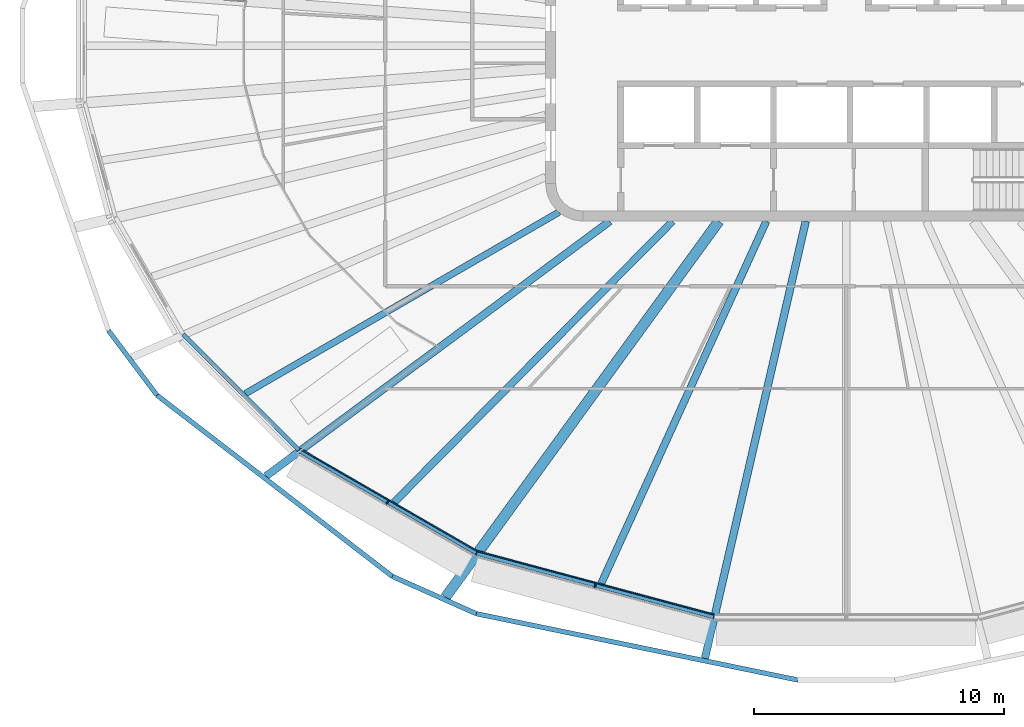
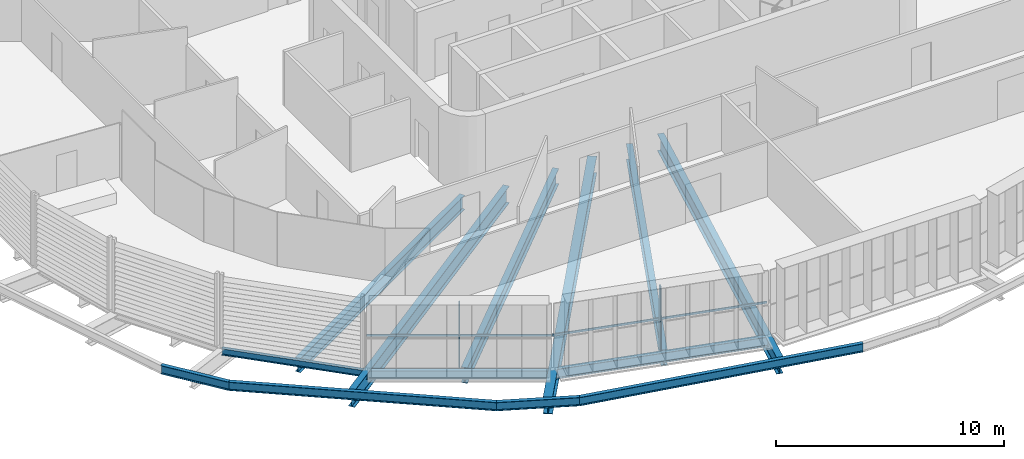
# One storey, part 1 of 20: 13 beams, 4 members, 2 elements without a shape of their own.
"""IFC4 building model written with IfcOpenShell, lengths in metres."""

from ifc_helpers import new_model, si_unit, direction, frame, origin, origin_2d, place, context, subcontext, project, spatial, rectangle, i_section, extrude, material, layer, layer_set, material_profile, profile_set, type_object, element, aggregate, save


model = new_model("IFC4")

# Units and contexts
model_context = context("Model", 3, precision=1e-05, world=origin(), true_north=direction((0.0, 1.0)))
body_context = subcontext(model_context, "Body", "Model", "MODEL_VIEW")
ifc_project = project(units=[si_unit("LENGTHUNIT", "METRE"), si_unit("AREAUNIT", "SQUARE_METRE"), si_unit("VOLUMEUNIT", "CUBIC_METRE"), si_unit("PLANEANGLEUNIT", "RADIAN"), si_unit("MASSUNIT", "GRAM", prefix="KILO")], contexts=[model_context])

# Site, building, storey
site_placement = place(None, origin())
site = spatial("IfcSite", under=ifc_project, at=site_placement, CompositionType="ELEMENT")
building_placement = place(site_placement, origin())
building = spatial("IfcBuilding", under=site, at=building_placement, Name="Sahrelin Media Tower", CompositionType="ELEMENT")
storey_placement = place(building_placement, frame((0.0, 0.0, 221.60009765625)))
storey = spatial("IfcBuildingStorey", under=building, at=storey_placement, Name="L47", CompositionType="ELEMENT", Elevation=221.60009765625)

# Beams
ifc_material_1 = material(Name="Steel S355", Category="steel")
ifc_material_profile_1 = material_profile(ifc_material_1, i_section(OverallWidth=0.17138671875, OverallDepth=0.35498046875, WebThickness=0.00732421875, FlangeThickness=0.011474609375, FilletRadius=0.01025390625, at=origin_2d()), Name="UB 356x171x51")
ifc_profile_set_1 = profile_set([ifc_material_profile_1], Name="Steel S355")
beam_type_1 = type_object("IfcBeamType", Name="Edge beam EB3", PredefinedType="BEAM", material=ifc_profile_set_1)
beam_1_placement = place(storey_placement, frame((-21.84912109375, -16.1328125, -0.377685546875), z_axis=(-0.707088087763, 0.707125474116, 0.0), x_axis=(-0.707125474116, -0.707088087763, 0.0)))
element("IfcBeam", 1, at=beam_1_placement, inside=storey, type_object=beam_type_1, Name="Edge beam L47-10", PredefinedType="BEAM", context=body_context, shape_type="SweptSolid", body=[
    extrude(i_section(OverallWidth=0.17138671875, OverallDepth=0.35498046875, WebThickness=0.00732421875, FlangeThickness=0.011474609375, FilletRadius=0.01025390625, at=origin_2d()), origin(), (0.0, 0.0, 1.0), 6.5302734375),
])
ifc_material_profile_2 = material_profile(ifc_material_1, i_section(OverallWidth=0.1904296875, OverallDepth=0.45703125, WebThickness=0.009033203125, FlangeThickness=0.014404296875, FilletRadius=0.01025390625, at=origin_2d()), Name="UB 457x191x74")
ifc_profile_set_2 = profile_set([ifc_material_profile_2], Name="Steel S355")
beam_type_2 = type_object("IfcBeamType", Name="Edge beam EB5", PredefinedType="BEAM", material=ifc_profile_set_2)
beam_2_placement = place(storey_placement, frame((-14.763427734375, -20.22802734375, -0.4287109375), z_axis=(-0.866014591954, 0.500018726171, 0.0), x_axis=(-0.500018726171, -0.866014591954, 0.0)))
element("IfcBeam", 2, at=beam_2_placement, inside=storey, type_object=beam_type_2, Name="Edge beam L47-09", PredefinedType="BEAM", context=body_context, shape_type="SweptSolid", body=[
    extrude(i_section(OverallWidth=0.1904296875, OverallDepth=0.45703125, WebThickness=0.009033203125, FlangeThickness=0.014404296875, FilletRadius=0.01025390625, at=origin_2d()), origin(), (0.0, 0.0, 1.0), 8.155517578125),
])
ifc_material_profile_3 = material_profile(ifc_material_1, i_section(OverallWidth=0.208740234375, OverallDepth=0.5283203125, WebThickness=0.009521484375, FlangeThickness=0.01318359375, FilletRadius=0.0126953125, at=origin_2d()), Name="UB 533x210x82")
ifc_profile_set_3 = profile_set([ifc_material_profile_3], Name="Steel S355")
beam_type_3 = type_object("IfcBeamType", Name="Edge beam EB6", PredefinedType="BEAM", material=ifc_profile_set_3)
beam_3_placement = place(storey_placement, frame((-5.2841796875, -22.771728515625, -0.414306640625), z_axis=(-0.965928675472, 0.258808411575, 0.0), x_axis=(-0.258808411575, -0.965928675472, 0.0)))
element("IfcBeam", 3, at=beam_3_placement, inside=storey, type_object=beam_type_3, Name="Edge beam L47-08", PredefinedType="BEAM", context=body_context, shape_type="SweptSolid", body=[
    extrude(i_section(OverallWidth=0.208740234375, OverallDepth=0.5283203125, WebThickness=0.009521484375, FlangeThickness=0.01318359375, FilletRadius=0.0126953125, at=origin_2d()), origin(), (0.0, 0.0, 1.0), 9.7861328125),
])

# Curtain wall, member
ifc_material_2 = material(Name="Champagne anodised aluminium 6063-T6", Category="aluminium")
ifc_layer = layer(ifc_material_2, 0.14990234375)
ifc_layer_set = layer_set([ifc_layer], Name="Tower ribbon curtain wall")
curtain_wall_type = type_object("IfcCurtainWallType", Name="Tower ribbon curtain wall", PredefinedType="NOTDEFINED", material=ifc_layer_set)
curtain_wall_1_placement = place(storey_placement, frame((-18.36962890625, -18.319091796875, 0.0), z_axis=(0.0, 0.0, 1.0), x_axis=(1.0, 0.0, 0.0)))
curtain_wall_1 = element("IfcCurtainWall", 4, at=curtain_wall_1_placement, inside=storey, type_object=curtain_wall_type, Name="L47:CW:L47-16", PredefinedType="NOTDEFINED")
ifc_material_profile_4 = material_profile(ifc_material_2, rectangle(XDim=0.06005859375, YDim=0.175048828125, at=origin_2d()), Name="Mullion 60x175")
ifc_profile_set_4 = profile_set([ifc_material_profile_4], Name="Champagne anodised aluminium 6063-T6")
member_type_1 = type_object("IfcMemberType", Name="Mullion 60x175 CW1B", PredefinedType="MULLION", material=ifc_profile_set_4)
member_1_placement = place(storey_placement, frame((-18.31591796875, -18.225830078125, 0.0), z_axis=(0.0, 0.0, 1.0), x_axis=(0.866022785779, -0.500004534492, 0.0)))
member_1 = element("IfcMember", 5, at=member_1_placement, type_object=member_type_1, Name="L47:CWM:L47-16", PredefinedType="MULLION", context=body_context, shape_type="SweptSolid", body=[
    extrude(rectangle(XDim=0.06005859375, YDim=0.175048828125, at=origin_2d()), origin(), (0.0, 0.0, 1.0), 3.448486328125),
])

curtain_wall_2_placement = place(storey_placement, frame((-10.04931640625, -21.650390625, 0.0), z_axis=(0.0, 0.0, 1.0), x_axis=(1.0, 0.0, 0.0)))
curtain_wall_2 = element("IfcCurtainWall", 6, at=curtain_wall_2_placement, inside=storey, type_object=curtain_wall_type, Name="L47:CW:L47-17", PredefinedType="NOTDEFINED")
member_2_placement = place(storey_placement, frame((-10.021484375, -21.54638671875, 0.0), z_axis=(0.0, 0.0, 1.0), x_axis=(0.965924471102, -0.258824102675, 0.0)))
member_2 = element("IfcMember", 7, at=member_2_placement, type_object=member_type_1, Name="L47:CWM:L47-17", PredefinedType="MULLION", context=body_context, shape_type="SweptSolid", body=[
    extrude(rectangle(XDim=0.06005859375, YDim=0.175048828125, at=origin_2d()), origin(), (0.0, 0.0, 1.0), 3.448486328125),
])

# Beams
ifc_material_profile_5 = material_profile(ifc_material_1, i_section(OverallWidth=0.30322265625, OverallDepth=0.903076171875, WebThickness=0.01513671875, FlangeThickness=0.020263671875, FilletRadius=0.01904296875, at=origin_2d()), Name="UB 914x305x201")
ifc_profile_set_5 = profile_set([ifc_material_profile_5], Name="Steel S355")
beam_type_4 = type_object("IfcBeamType", Name="Radial primary beam PB11", PredefinedType="BEAM", material=ifc_profile_set_5)
beam_4_placement = place(storey_placement, frame((-9.439697265625, -7.0, -0.651611328125), z_axis=(-0.803237858259, -0.59565841139, 0.0), x_axis=(0.59565841139, -0.803237858259, 0.0)))
element("IfcBeam", 8, at=beam_4_placement, inside=storey, type_object=beam_type_4, Name="Radial beam L47-16", PredefinedType="BEAM", context=body_context, shape_type="SweptSolid", body=[
    extrude(i_section(OverallWidth=0.30322265625, OverallDepth=0.903076171875, WebThickness=0.01513671875, FlangeThickness=0.020263671875, FilletRadius=0.01904296875, at=origin_2d()), origin(), (0.0, 0.0, 1.0), 17.08447265625),
])
beam_5_placement = place(storey_placement, frame((-1.615234375, -7.0, -0.6015625), z_axis=(-0.224829640929, -0.974398087313, 0.0), x_axis=(0.974398087313, -0.224829640929, 0.0)))
element("IfcBeam", 9, at=beam_5_placement, inside=storey, type_object=beam_type_4, Name="Radial beam L47-18", PredefinedType="BEAM", context=body_context, shape_type="SweptSolid", body=[
    extrude(i_section(OverallWidth=0.30322265625, OverallDepth=0.903076171875, WebThickness=0.01513671875, FlangeThickness=0.020263671875, FilletRadius=0.01904296875, at=origin_2d()), origin(), (0.0, 0.0, 1.0), 17.91064453125),
])
ifc_material_profile_6 = material_profile(ifc_material_1, i_section(OverallWidth=0.41845703125, OverallDepth=0.911865234375, WebThickness=0.019287109375, FlangeThickness=0.031982421875, FilletRadius=0.024169921875, at=origin_2d()), Name="UB 914x419x343")
ifc_profile_set_6 = profile_set([ifc_material_profile_6], Name="Steel S355")
beam_type_5 = type_object("IfcBeamType", Name="Radial primary beam PB12", PredefinedType="BEAM", material=ifc_profile_set_6)
beam_6_placement = place(storey_placement, frame((-5.087646484375, -7.0, -0.60595703125), z_axis=(-0.587924542129, -0.808915776063, 0.0), x_axis=(0.808915776063, -0.587924542129, 0.0)))
element("IfcBeam", 10, at=beam_6_placement, inside=storey, type_object=beam_type_5, Name="Radial beam L47-17", PredefinedType="BEAM", context=body_context, shape_type="SweptSolid", body=[
    extrude(i_section(OverallWidth=0.41845703125, OverallDepth=0.911865234375, WebThickness=0.019287109375, FlangeThickness=0.031982421875, FilletRadius=0.024169921875, at=origin_2d()), origin(), (0.0, 0.0, 1.0), 18.56201171875),
])
ifc_material_profile_7 = material_profile(ifc_material_1, i_section(OverallWidth=0.291748046875, OverallDepth=0.8349609375, WebThickness=0.013916015625, FlangeThickness=0.018798828125, FilletRadius=0.017822265625, at=origin_2d()), Name="UB 838x292x176")
ifc_profile_set_7 = profile_set([ifc_material_profile_7], Name="Steel S355")
beam_type_6 = type_object("IfcBeamType", Name="Radial secondary beam SB10", PredefinedType="BEAM", material=ifc_profile_set_7)
beam_7_placement = place(storey_placement, frame((-6.93310546875, -7.0, -0.567626953125), z_axis=(-0.703713507943, -0.71048384833, 0.0), x_axis=(0.71048384833, -0.703713507943, 0.0)))
element("IfcBeam", 11, at=beam_7_placement, inside=storey, type_object=beam_type_6, Name="Secondary beam L47-16", PredefinedType="BEAM", context=body_context, shape_type="SweptSolid", body=[
    extrude(i_section(OverallWidth=0.291748046875, OverallDepth=0.8349609375, WebThickness=0.013916015625, FlangeThickness=0.018798828125, FilletRadius=0.017822265625, at=origin_2d()), origin(), (0.0, 0.0, 1.0), 15.79443359375),
])
beam_8_placement = place(storey_placement, frame((-3.190185546875, -7.0, -0.567626953125), z_axis=(-0.41471955526, -0.909949279073, 0.0), x_axis=(0.909949279073, -0.41471955526, 0.0)))
element("IfcBeam", 12, at=beam_8_placement, inside=storey, type_object=beam_type_6, Name="Secondary beam L47-17", PredefinedType="BEAM", context=body_context, shape_type="SweptSolid", body=[
    extrude(i_section(OverallWidth=0.291748046875, OverallDepth=0.8349609375, WebThickness=0.013916015625, FlangeThickness=0.018798828125, FilletRadius=0.017822265625, at=origin_2d()), origin(), (0.0, 0.0, 1.0), 15.889892578125),
])
ifc_material_profile_8 = material_profile(ifc_material_1, i_section(OverallWidth=0.26513671875, OverallDepth=0.75390625, WebThickness=0.0126953125, FlangeThickness=0.017578125, FilletRadius=0.0166015625, at=origin_2d()), Name="UB 762x267x147")
ifc_profile_set_8 = profile_set([ifc_material_profile_8], Name="Steel S355")
beam_type_7 = type_object("IfcBeamType", Name="Radial secondary beam SB9", PredefinedType="BEAM", material=ifc_profile_set_8)
beam_9_placement = place(storey_placement, frame((-11.46435546875, -6.634521484375, -0.5771484375), z_axis=(-0.86550833259, -0.50089452604, 0.0), x_axis=(0.50089452604, -0.86550833259, 0.0)))
element("IfcBeam", 13, at=beam_9_placement, inside=storey, type_object=beam_type_7, Name="Secondary beam L47-15", PredefinedType="BEAM", context=body_context, shape_type="SweptSolid", body=[
    extrude(i_section(OverallWidth=0.26513671875, OverallDepth=0.75390625, WebThickness=0.0126953125, FlangeThickness=0.017578125, FilletRadius=0.0166015625, at=origin_2d()), origin(), (0.0, 0.0, 1.0), 14.46240234375),
])
ifc_material_profile_9 = material_profile(ifc_material_1, i_section(OverallWidth=0.1904296875, OverallDepth=0.45703125, WebThickness=0.009033203125, FlangeThickness=0.014404296875, FilletRadius=0.01025390625, at=origin_2d()), Name="UB 457x191x74")
ifc_profile_set_9 = profile_set([ifc_material_profile_9], Name="Steel S355")
beam_type_8 = type_object("IfcBeamType", Name="Tie chord TC5", PredefinedType="BEAM", material=ifc_profile_set_9)
beam_10_placement = place(storey_placement, frame((-29.44970703125, -11.366455078125, -0.378662109375), z_axis=(0.600036323941, -0.799972755755, 0.0), x_axis=(0.799972755755, 0.600036323941, 0.0)))
element("IfcBeam", 14, at=beam_10_placement, inside=storey, type_object=beam_type_8, Name="Tie chord L47-14", PredefinedType="BEAM", context=body_context, shape_type="SweptSolid", body=[
    extrude(i_section(OverallWidth=0.1904296875, OverallDepth=0.45703125, WebThickness=0.009033203125, FlangeThickness=0.014404296875, FilletRadius=0.01025390625, at=origin_2d()), origin(), (0.0, 0.0, 1.0), 3.22607421875),
])
beam_11_placement = place(storey_placement, frame((-27.513916015625, -13.947265625, -0.378662109375), z_axis=(0.792436365958, -0.609954593316, 0.0), x_axis=(0.609954593316, 0.792436365958, 0.0)))
element("IfcBeam", 15, at=beam_11_placement, inside=storey, type_object=beam_type_8, Name="Tie chord L47-15", PredefinedType="BEAM", context=body_context, shape_type="SweptSolid", body=[
    extrude(i_section(OverallWidth=0.1904296875, OverallDepth=0.45703125, WebThickness=0.009033203125, FlangeThickness=0.014404296875, FilletRadius=0.01025390625, at=origin_2d()), origin(), (0.0, 0.0, 1.0), 11.853759765625),
])
beam_12_placement = place(storey_placement, frame((-18.12060546875, -21.177490234375, -0.378662109375), z_axis=(0.913836241537, -0.406082902439, 0.0), x_axis=(0.406082902439, 0.913836241537, 0.0)))
element("IfcBeam", 16, at=beam_12_placement, inside=storey, type_object=beam_type_8, Name="Tie chord L47-16", PredefinedType="BEAM", context=body_context, shape_type="SweptSolid", body=[
    extrude(i_section(OverallWidth=0.1904296875, OverallDepth=0.45703125, WebThickness=0.009033203125, FlangeThickness=0.014404296875, FilletRadius=0.01025390625, at=origin_2d()), origin(), (0.0, 0.0, 1.0), 3.669189453125),
])
beam_13_placement = place(storey_placement, frame((-14.767578125, -22.66748046875, -0.378662109375), z_axis=(0.97939063421, -0.201975210415, 0.0), x_axis=(0.201975210415, 0.97939063421, 0.0)))
element("IfcBeam", 17, at=beam_13_placement, inside=storey, type_object=beam_type_8, Name="Tie chord L47-17", PredefinedType="BEAM", context=body_context, shape_type="SweptSolid", body=[
    extrude(i_section(OverallWidth=0.1904296875, OverallDepth=0.45703125, WebThickness=0.009033203125, FlangeThickness=0.014404296875, FilletRadius=0.01025390625, at=origin_2d()), origin(), (0.0, 0.0, 1.0), 13.101806640625),
])

# Member
ifc_material_profile_10 = material_profile(ifc_material_2, rectangle(XDim=0.050048828125, YDim=0.110107421875, at=origin_2d()), Name="Transom 50x110")
ifc_profile_set_10 = profile_set([ifc_material_profile_10], Name="Champagne anodised aluminium 6063-T6")
member_type_2 = type_object("IfcMemberType", Name="Transom 50x110 CW1B", PredefinedType="USERDEFINED", material=ifc_profile_set_10)
member_3_placement = place(storey_placement, frame((-21.777587890625, -16.097412109375, 1.599853515625), z_axis=(0.866026445548, -0.499998195608, 0.0), x_axis=(0.499998195608, 0.866026445548, 0.0)))
member_3 = element("IfcMember", 18, at=member_3_placement, type_object=member_type_2, Name="L47:CWT:L47-16", ObjectType="TRANSOM", PredefinedType="USERDEFINED", context=body_context, shape_type="SweptSolid", body=[
    extrude(rectangle(XDim=0.050048828125, YDim=0.110107421875, at=origin_2d()), origin(), (0.0, 0.0, 1.0), 8.1240234375),
])

aggregate(curtain_wall_1, [member_1, member_3])

member_4_placement = place(storey_placement, frame((-14.70361328125, -20.17529296875, 1.599853515625), z_axis=(0.965921015367, -0.258836999039, 0.0), x_axis=(0.258836999039, 0.965921015367, 0.0)))
member_4 = element("IfcMember", 19, at=member_4_placement, type_object=member_type_2, Name="L47:CWT:L47-17", ObjectType="TRANSOM", PredefinedType="USERDEFINED", context=body_context, shape_type="SweptSolid", body=[
    extrude(rectangle(XDim=0.050048828125, YDim=0.110107421875, at=origin_2d()), origin(), (0.0, 0.0, 1.0), 9.7548828125),
])

aggregate(curtain_wall_2, [member_2, member_4])

save(model, "model.ifc")
